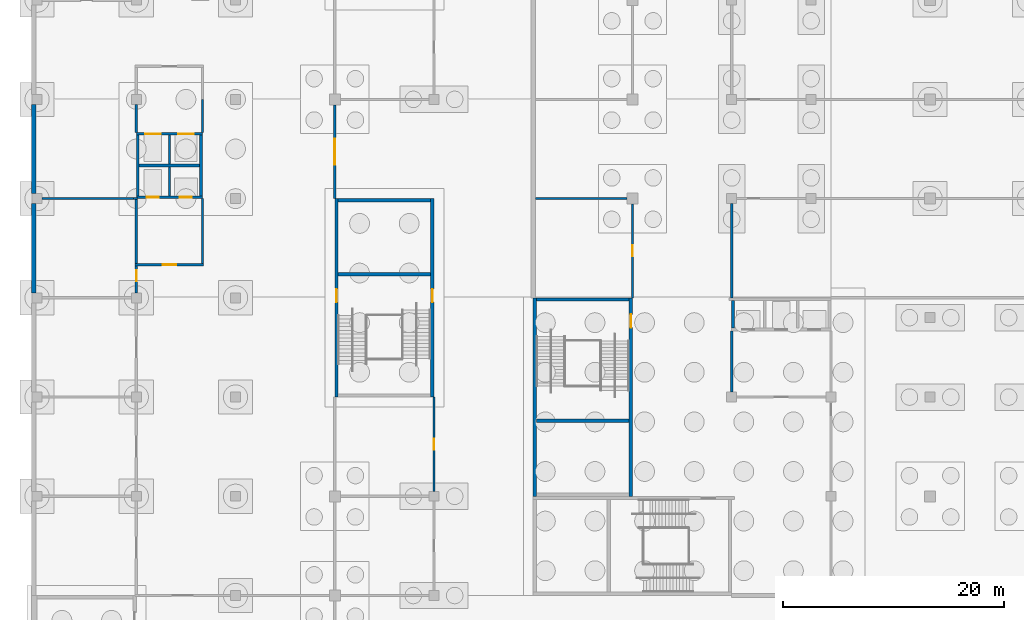
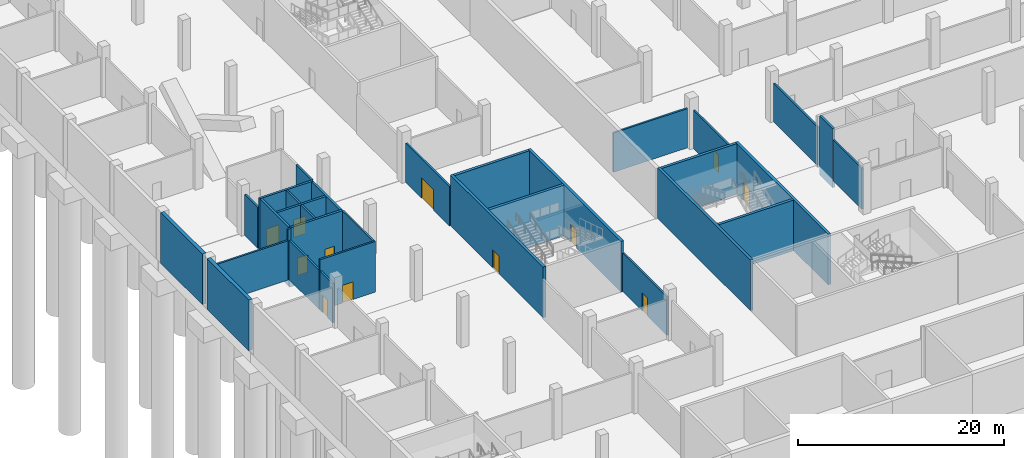
# One storey, part 9 of 42: 32 walls, 12 doors, 12 openings.
"""IFC4 building model written with IfcOpenShell, lengths in metres."""

import ifcopenshell
import ifcopenshell.guid

model = None  # the IFC model being written
_history = None  # IfcOwnerHistory: only IFC2X3 demands one
_inside = {}  # id of a spatial element -> (the spatial element, [elements in it])
_under = {}  # id of a project, library or spatial element -> (it, [spatial elements below it])
_declared = {}  # id of a project -> (the project, [libraries it declares])
_typed = {}  # id of a type object -> (the type object, [elements of that type])
_made_of = {}  # id of a material, layer set ... -> (it, [elements and type objects made of it])


def new_model(schema):
    """Start an empty IFC model of exactly this schema.

    Asked for "IFC4X3", IfcOpenShell would pick the latest addendum, in which some entities
    have other attributes; the version numbers below select the first issue.
    IFC2X3 requires an IfcOwnerHistory on every rooted entity: one is made here for all.
    """
    global model, _history
    if schema == "IFC4X3":
        model = ifcopenshell.file(schema_version=(4, 3, 0, 0))
    else:
        model = ifcopenshell.file(schema=schema)
    _inside.clear()
    _under.clear()
    _declared.clear()
    _typed.clear()
    _made_of.clear()
    _history = None
    if model.schema == "IFC2X3":
        org = make("IfcOrganization", Name="unknown")
        user = make(
            "IfcPersonAndOrganization",
            ThePerson=make("IfcPerson", FamilyName="unknown"),
            TheOrganization=org,
        )
        app = make(
            "IfcApplication",
            ApplicationDeveloper=org,
            Version="unknown",
            ApplicationFullName="unknown",
            ApplicationIdentifier="unknown",
        )
        _history = make(
            "IfcOwnerHistory",
            OwningUser=user,
            OwningApplication=app,
            ChangeAction="ADDED",
            CreationDate=0,
        )
    return model


def make(cls, **values):
    """One entity of the class cls with the attributes given. An attribute that is None is left unset."""
    return model.create_entity(
        cls, **{name: value for name, value in values.items() if value is not None}
    )


def rooted(cls, **values):
    """An entity with a GlobalId (a new one), such as an element, a storey or a relation."""
    return make(cls, GlobalId=ifcopenshell.guid.new(), OwnerHistory=_history, **values)


def si_unit(unit_type, name, prefix=None):
    """IfcSIUnit, for example si_unit("LENGTHUNIT", "METRE", prefix="MILLI")."""
    return make("IfcSIUnit", UnitType=unit_type, Prefix=prefix, Name=name)


def assignment(units):
    """IfcUnitAssignment: the units of a project."""
    return None if units is None else make("IfcUnitAssignment", Units=units)


def point(xyz):
    """IfcCartesianPoint."""
    return None if xyz is None else make("IfcCartesianPoint", Coordinates=xyz)


def direction(xyz):
    """IfcDirection."""
    return None if xyz is None else make("IfcDirection", DirectionRatios=xyz)


def frame(location, z_axis=None, x_axis=None):
    """IfcAxis2Placement3D, a coordinate frame: its origin and axes. An axis left out is left unset."""
    return make(
        "IfcAxis2Placement3D",
        Location=point(location),
        Axis=direction(z_axis),
        RefDirection=direction(x_axis),
    )


def frame_2d(location, x_axis=None):
    """IfcAxis2Placement2D, a coordinate frame in the plane: its origin and x axis."""
    return make(
        "IfcAxis2Placement2D", Location=point(location), RefDirection=direction(x_axis)
    )


def origin():
    """The frame at (0, 0, 0) with its axes left unset."""
    return frame((0.0, 0.0, 0.0))


def place(relative_to, where):
    """IfcLocalPlacement: puts the frame where relative to a parent placement (None: the world)."""
    return make(
        "IfcLocalPlacement", PlacementRelTo=relative_to, RelativePlacement=where
    )


def context(
    kind, dimensions, precision=None, world=None, true_north=None, identifier=None
):
    """IfcGeometricRepresentationContext, for example the 3D "Model" context."""
    return make(
        "IfcGeometricRepresentationContext",
        ContextIdentifier=identifier,
        ContextType=kind,
        CoordinateSpaceDimension=dimensions,
        Precision=precision,
        WorldCoordinateSystem=world,
        TrueNorth=true_north,
    )


def subcontext(parent, identifier, kind, view, scale=None):
    """IfcGeometricRepresentationSubContext, for example "Body" below "Model"."""
    return make(
        "IfcGeometricRepresentationSubContext",
        ContextIdentifier=identifier,
        ContextType=kind,
        ParentContext=parent,
        TargetScale=scale,
        TargetView=view,
    )


def project(units=None, contexts=None):
    """IfcProject with its units and contexts."""
    return rooted(
        "IfcProject",
        Name="project",
        RepresentationContexts=contexts,
        UnitsInContext=assignment(units),
    )


def spatial(cls, under=None, at=None, **own):
    """A site, building, storey or space (cls), placed at a placement, below another one or the project."""
    s = rooted(cls, ObjectPlacement=at, **own)
    if under is not None:
        _under.setdefault(under.id(), (under, []))[1].append(s)
    return s


def profile(cls, at=None, kind="AREA", **sizes):
    """A parametric profile (cls). Its sizes go by their IFC names, for example OverallWidth=200.0."""
    return make(cls, ProfileType=kind, Position=at, **sizes)


def rectangle(**sizes):
    """IfcRectangleProfileDef."""
    return profile("IfcRectangleProfileDef", **sizes)


def extrude(swept, where, along, depth):
    """IfcExtrudedAreaSolid: the profile swept, set in the frame where, extruded along a direction by depth."""
    return make(
        "IfcExtrudedAreaSolid",
        SweptArea=swept,
        Position=where,
        ExtrudedDirection=direction(along),
        Depth=depth,
    )


def shape(context_of_items, identifier, shape_type, items):
    """IfcShapeRepresentation: the items that make up one representation, for example the "Body"."""
    return make(
        "IfcShapeRepresentation",
        ContextOfItems=context_of_items,
        RepresentationIdentifier=identifier,
        RepresentationType=shape_type,
        Items=items,
    )


def material(Name=None, Category=None):
    """IfcMaterial."""
    return make("IfcMaterial", Name=Name, Category=Category)


def layer(
    of_material, thickness, ventilated=None, Name=None, Category=None, Priority=None
):
    """IfcMaterialLayer: one layer of a wall or slab, of a material (None: an air gap)."""
    return make(
        "IfcMaterialLayer",
        Material=of_material,
        LayerThickness=thickness,
        IsVentilated=ventilated,
        Name=Name,
        Category=Category,
        Priority=Priority,
    )


def layer_set(layers, Name=None):
    """IfcMaterialLayerSet."""
    return make("IfcMaterialLayerSet", MaterialLayers=layers, LayerSetName=Name)


def made_of(thing, what):
    """Note that an element or type object is made of a material, layer set ...; save() writes the relation."""
    if what is not None:
        _made_of.setdefault(what.id(), (what, []))[1].append(thing)
    return thing


def type_object(cls, material=None, **own):
    """A type object (cls), such as IfcWallType, which elements share."""
    return made_of(rooted(cls, **own), material)


def element(
    cls,
    number,
    at=None,
    inside=None,
    cuts=None,
    type_object=None,
    material=None,
    context=None,
    identifier="Body",
    shape_type=None,
    held_by="IfcProductDefinitionShape",
    body=None,
    shapes=None,
    **own,
):
    """One element of the class cls, such as IfcWall. Its Tag is "e" and its number.

    at: its placement. inside: the storey or other place that contains it. cuts: it is an
    opening in that element (IfcRelVoidsElement). A single representation is given by context,
    identifier, shape_type and body (its items); several are given by shapes. held_by: the class
    of the entity that holds the representations. save() writes the other relations.
    """
    e = rooted(cls, Tag="e%d" % number, ObjectPlacement=at, **own)
    if body is not None:
        shapes = [shape(context, identifier, shape_type, body)]
    if shapes is not None:
        e.Representation = make(held_by, Representations=shapes)
    if inside is not None:
        _inside.setdefault(inside.id(), (inside, []))[1].append(e)
    if cuts is not None:
        rooted(
            "IfcRelVoidsElement", RelatingBuildingElement=cuts, RelatedOpeningElement=e
        )
    if type_object is not None:
        _typed.setdefault(type_object.id(), (type_object, []))[1].append(e)
    return made_of(e, material)


def fill(opening, filler):
    """IfcRelFillsElement: the door or window that sits in an opening."""
    return rooted(
        "IfcRelFillsElement",
        RelatingOpeningElement=opening,
        RelatedBuildingElement=filler,
    )


def aggregate(whole, parts):
    """IfcRelAggregates: a whole, such as a stair, and the parts it consists of."""
    return rooted("IfcRelAggregates", RelatingObject=whole, RelatedObjects=parts)


def save(model, path):
    """Write the relations noted so far, then the file.

    IfcRelAggregates (storeys below a building ...), IfcRelContainedInSpatialStructure (elements
    in a storey), IfcRelDefinesByType, IfcRelAssociatesMaterial and IfcRelDeclares: one each for
    every whole, place, type object, material and project.
    """
    for whole, parts in _under.values():
        aggregate(whole, parts)
    for where, things in _inside.values():
        rooted(
            "IfcRelContainedInSpatialStructure",
            RelatedElements=things,
            RelatingStructure=where,
        )
    for kind, things in _typed.values():
        rooted("IfcRelDefinesByType", RelatedObjects=things, RelatingType=kind)
    for what, things in _made_of.values():
        rooted("IfcRelAssociatesMaterial", RelatedObjects=things, RelatingMaterial=what)
    for by, libraries in _declared.values():
        rooted("IfcRelDeclares", RelatingContext=by, RelatedDefinitions=libraries)
    model.write(path)


model = new_model("IFC4")

# Units and contexts
model_context = context("Model", 3, precision=1e-05, world=origin(), true_north=direction((0.0, 1.0)))
body_context = subcontext(model_context, "Body", "Model", "MODEL_VIEW")
ifc_project = project(units=[si_unit("LENGTHUNIT", "METRE"), si_unit("AREAUNIT", "SQUARE_METRE"), si_unit("VOLUMEUNIT", "CUBIC_METRE"), si_unit("PLANEANGLEUNIT", "RADIAN"), si_unit("MASSUNIT", "GRAM", prefix="KILO")], contexts=[model_context])

# Site, building, storey
site_placement = place(None, origin())
site = spatial("IfcSite", under=ifc_project, at=site_placement, CompositionType="ELEMENT")
building_placement = place(site_placement, origin())
building = spatial("IfcBuilding", under=site, at=building_placement, Name="Silverbay Arena", CompositionType="ELEMENT")
storey_placement = place(building_placement, frame((0.0, 0.0, -6.0)))
storey = spatial("IfcBuildingStorey", under=building, at=storey_placement, Name="B1", CompositionType="ELEMENT", Elevation=-6.0)

# Walls
ifc_material_1 = material(Name="Concrete Grade C45", Category="concrete")
ifc_layer_1 = layer(ifc_material_1, 0.39990234375)
ifc_layer_set_1 = layer_set([ifc_layer_1], Name="Concrete Grade C45")
wall_type_1 = type_object("IfcWallType", Name="Basement perimeter wall 400", PredefinedType="SOLIDWALL", material=ifc_layer_set_1)
for number, where, z_axis, x_axis, name in (
    (1, (26.699951171875, 71.550048828125, 0.0), (0.0, 0.0, 1.0), (0.0, -1.0, 0.0), "West external wall B1 bay 6"),
    (2, (26.699951171875, 80.550048828125, 0.0), (0.0, 0.0, 1.0), (0.0, -1.0, 0.0), "West external wall B1 bay 7"),
):
    element("IfcWall", number, at=place(storey_placement, frame(where, z_axis=z_axis, x_axis=x_axis)), inside=storey, type_object=wall_type_1, Name=name, PredefinedType="SOLIDWALL", context=body_context, shape_type="SweptSolid", body=[
        extrude(rectangle(XDim=8.10009765625, YDim=0.39990234375, at=frame_2d((4.050048828125, 0.0))), origin(), (0.0, 0.0, 1.0), 6.0),
    ])

# Wall, opening, door
ifc_material_2 = material(Name="Concrete Grade C45", Category="concrete")
ifc_layer_2 = layer(ifc_material_2, 0.300048828125)
ifc_layer_set_2 = layer_set([ifc_layer_2], Name="Concrete Grade C45")
wall_type_2 = type_object("IfcWallType", Name="Core wall RC 300 EI 240", PredefinedType="SHEAR", material=ifc_layer_set_2)
wall_1_placement = place(storey_placement, frame((62.85009765625, 54.0, 0.0), z_axis=(0.0, 0.0, 1.0), x_axis=(0.0, 1.0, 0.0)))
wall_1 = element("IfcWall", 3, at=wall_1_placement, inside=storey, type_object=wall_type_2, Name="Core wall ST-W1 B1 door side", PredefinedType="SHEAR", context=body_context, shape_type="SweptSolid", body=[
    extrude(rectangle(XDim=18.0, YDim=0.300048828125, at=frame_2d((9.0, 0.0))), origin(), (0.0, 0.0, 1.0), 6.0),
])
opening_1_placement = place(wall_1_placement, frame((8.60009765625, 0.0, 0.0)))
opening_1 = element("IfcOpeningElement", 4, at=opening_1_placement, cuts=wall_1, Name="Opening B1-082", PredefinedType="OPENING", context=body_context, shape_type="SweptSolid", body=[
    extrude(rectangle(XDim=1.199951171875, YDim=2.10009765625, at=frame_2d((0.60009765625, 1.050048828125))), frame((0.0, 0.16015625, 0.0), z_axis=(0.0, -1.0, 0.0), x_axis=(1.0, 0.0, 0.0)), (0.0, 0.0, 1.0), 0.320068359375),
])
ifc_material_3 = material(Name="Steel fire door", Category="steel")
door_type_1 = type_object("IfcDoorType", Name="Stair door 1200 x 2100 fire door", OperationType="SINGLE_SWING_LEFT", PredefinedType="DOOR", material=ifc_material_3)
door_1_placement = place(opening_1_placement, origin())
door_1 = element("IfcDoor", 5, at=door_1_placement, inside=storey, type_object=door_type_1, Name="Stair door ST-W1 B1", OperationType="SINGLE_SWING_RIGHT", OverallHeight=2.10009765625, OverallWidth=1.199951171875, PredefinedType="DOOR", context=body_context, shape_type="SweptSolid", body=[
    extrude(rectangle(XDim=1.199951171875, YDim=2.10009765625, at=frame_2d((0.60009765625, 1.050048828125))), frame((0.0, 0.02490234375, 0.0), z_axis=(0.0, -1.0, 0.0), x_axis=(1.0, 0.0, 0.0)), (0.0, 0.0, 1.0), 0.050048828125),
])
fill(opening_1, door_1)

wall_2_placement = place(storey_placement, frame((54.14990234375, 54.0, 0.0), z_axis=(0.0, 0.0, 1.0), x_axis=(0.0, 1.0, 0.0)))
wall_2 = element("IfcWall", 6, at=wall_2_placement, inside=storey, type_object=wall_type_2, Name="Core wall ST-W1 B1 far side", PredefinedType="SHEAR", context=body_context, shape_type="SweptSolid", body=[
    extrude(rectangle(XDim=18.0, YDim=0.300048828125, at=frame_2d((9.0, 0.0))), origin(), (0.0, 0.0, 1.0), 6.0),
])
opening_2_placement = place(wall_2_placement, frame((8.60009765625, 0.0, 0.0)))
opening_2 = element("IfcOpeningElement", 7, at=opening_2_placement, cuts=wall_2, Name="Opening B1-083", PredefinedType="OPENING", context=body_context, shape_type="SweptSolid", body=[
    extrude(rectangle(XDim=1.199951171875, YDim=2.10009765625, at=frame_2d((0.60009765625, 1.050048828125))), frame((0.0, 0.16015625, 0.0), z_axis=(0.0, -1.0, 0.0), x_axis=(1.0, 0.0, 0.0)), (0.0, 0.0, 1.0), 0.320068359375),
])
door_2_placement = place(opening_2_placement, frame((1.199951171875, 0.0, 0.0), z_axis=(0.0, 0.0, 1.0), x_axis=(-1.0, 0.0, 0.0)))
door_2 = element("IfcDoor", 8, at=door_2_placement, inside=storey, type_object=door_type_1, Name="Stair door ST-W1 B1 concourse side", OperationType="SINGLE_SWING_LEFT", OverallHeight=2.10009765625, OverallWidth=1.199951171875, PredefinedType="DOOR", context=body_context, shape_type="SweptSolid", body=[
    extrude(rectangle(XDim=1.199951171875, YDim=2.10009765625, at=frame_2d((0.60009765625, 1.050048828125))), frame((0.0, 0.02490234375, 0.0), z_axis=(0.0, -1.0, 0.0), x_axis=(1.0, 0.0, 0.0)), (0.0, 0.0, 1.0), 0.050048828125),
])
fill(opening_2, door_2)

# Walls
for number, where, z_axis, x_axis, name in (
    (9, (62.699951171875, 71.85009765625, 0.0), (0.0, 0.0, 1.0), (-1.0, 0.0, 0.0), "Core wall ST-W1 B1 end 2"),
    (10, (62.699951171875, 65.14990234375, 0.0), (0.0, 0.0, 1.0), (-1.0, 0.0, 0.0), "Core wall ST-W1 B1 stair enclosure"),
):
    element("IfcWall", number, at=place(storey_placement, frame(where, z_axis=z_axis, x_axis=x_axis)), inside=storey, type_object=wall_type_2, Name=name, PredefinedType="SHEAR", context=body_context, shape_type="SweptSolid", body=[
        extrude(rectangle(XDim=8.39990234375, YDim=0.300048828125, at=frame_2d((4.199951171875, 0.0))), origin(), (0.0, 0.0, 1.0), 6.0),
    ])

# Wall, opening, door
wall_3_placement = place(storey_placement, frame((80.85009765625, 63.0, 0.0), z_axis=(0.0, 0.0, 1.0), x_axis=(0.0, -1.0, 0.0)))
wall_3 = element("IfcWall", 11, at=wall_3_placement, inside=storey, type_object=wall_type_2, Name="Core wall ST-SW2 B1 door side", PredefinedType="SHEAR", context=body_context, shape_type="SweptSolid", body=[
    extrude(rectangle(XDim=18.0, YDim=0.300048828125, at=frame_2d((9.0, 0.0))), origin(), (0.0, 0.0, 1.0), 6.0),
])
opening_3_placement = place(wall_3_placement, frame((1.5, 0.0, 0.0)))
opening_3 = element("IfcOpeningElement", 12, at=opening_3_placement, cuts=wall_3, Name="Opening B1-089", PredefinedType="OPENING", context=body_context, shape_type="SweptSolid", body=[
    extrude(rectangle(XDim=1.199951171875, YDim=2.10009765625, at=frame_2d((0.60009765625, 1.050048828125))), frame((0.0, 0.16015625, 0.0), z_axis=(0.0, -1.0, 0.0), x_axis=(1.0, 0.0, 0.0)), (0.0, 0.0, 1.0), 0.320068359375),
])
door_3_placement = place(opening_3_placement, frame((1.199951171875, 0.0, 0.0), z_axis=(0.0, 0.0, 1.0), x_axis=(-1.0, 0.0, 0.0)))
door_3 = element("IfcDoor", 13, at=door_3_placement, inside=storey, type_object=door_type_1, Name="Stair door ST-SW2 B1", OperationType="SINGLE_SWING_RIGHT", OverallHeight=2.10009765625, OverallWidth=1.199951171875, PredefinedType="DOOR", context=body_context, shape_type="SweptSolid", body=[
    extrude(rectangle(XDim=1.199951171875, YDim=2.10009765625, at=frame_2d((0.60009765625, 1.050048828125))), frame((0.0, 0.02490234375, 0.0), z_axis=(0.0, -1.0, 0.0), x_axis=(1.0, 0.0, 0.0)), (0.0, 0.0, 1.0), 0.050048828125),
])
fill(opening_3, door_3)

# Walls
wall_4_placement = place(storey_placement, frame((72.14990234375, 63.0, 0.0), z_axis=(0.0, 0.0, 1.0), x_axis=(0.0, -1.0, 0.0)))
element("IfcWall", 14, at=wall_4_placement, inside=storey, type_object=wall_type_2, Name="Core wall ST-SW2 B1 far side", PredefinedType="SHEAR", context=body_context, shape_type="SweptSolid", body=[
    extrude(rectangle(XDim=18.0, YDim=0.300048828125, at=frame_2d((9.0, 0.0))), origin(), (0.0, 0.0, 1.0), 6.0),
])
for number, where, z_axis, x_axis, name in (
    (15, (80.699951171875, 62.85009765625, 0.0), (0.0, 0.0, 1.0), (-1.0, 0.0, 0.0), "Core wall ST-SW2 B1 end 1"),
    (16, (80.699951171875, 51.85009765625, 0.0), (0.0, 0.0, 1.0), (-1.0, 0.0, 0.0), "Core wall ST-SW2 B1 stair enclosure"),
):
    element("IfcWall", number, at=place(storey_placement, frame(where, z_axis=z_axis, x_axis=x_axis)), inside=storey, type_object=wall_type_2, Name=name, PredefinedType="SHEAR", context=body_context, shape_type="SweptSolid", body=[
        extrude(rectangle(XDim=8.39990234375, YDim=0.300048828125, at=frame_2d((4.199951171875, 0.0))), origin(), (0.0, 0.0, 1.0), 6.0),
    ])
ifc_material_4 = material(Name="Concrete Grade C45", Category="concrete")
ifc_layer_3 = layer(ifc_material_4, 0.199951171875)
ifc_layer_set_3 = layer_set([ifc_layer_3], Name="Concrete Grade C45")
wall_type_3 = type_object("IfcWallType", Name="Lift shaft divider RC 200 EI 240", PredefinedType="SHEAR", material=ifc_layer_set_3)
for number, where, z_axis, x_axis, name in (
    (17, (39.0, 72.25, -1.0), (0.0, 0.0, 1.0), (0.0, 1.0, 0.0), "Lift shaft divider LB-WG B1 s"),
    (18, (39.0, 75.125, -1.0), (0.0, 0.0, 1.0), (0.0, 1.0, 0.0), "Lift shaft divider LB-WG B1 n"),
):
    element("IfcWall", number, at=place(storey_placement, frame(where, z_axis=z_axis, x_axis=x_axis)), inside=storey, type_object=wall_type_3, Name=name, PredefinedType="SHEAR", context=body_context, shape_type="SweptSolid", body=[
        extrude(rectangle(XDim=2.625, YDim=0.199951171875, at=frame_2d((1.3125, 0.0))), origin(), (0.0, 0.0, 1.0), 7.0),
    ])
ifc_material_5 = material(Name="Concrete Grade C45", Category="concrete")
ifc_layer_4 = layer(ifc_material_5, 0.25)
ifc_layer_set_4 = layer_set([ifc_layer_4], Name="Concrete Grade C45")
wall_type_4 = type_object("IfcWallType", Name="Lift shaft wall RC 250 EI 240", PredefinedType="SHEAR", material=ifc_layer_set_4)
wall_5_placement = place(storey_placement, frame((90.125, 60.25, -1.0), z_axis=(0.0, 0.0, 1.0), x_axis=(0.0, 1.0, 0.0)))
element("IfcWall", 19, at=wall_5_placement, inside=storey, type_object=wall_type_4, Name="Lift shaft wall LB-SW B1 end", PredefinedType="SHEAR", context=body_context, shape_type="SweptSolid", body=[
    extrude(rectangle(XDim=2.5, YDim=0.25, at=frame_2d((1.25, 0.0))), origin(), (0.0, 0.0, 1.0), 7.0),
])

# Wall, openings, doors
wall_6_placement = place(storey_placement, frame((36.0, 72.125, -1.0), z_axis=(0.0, 0.0, 1.0), x_axis=(1.0, 0.0, 0.0)))
wall_6 = element("IfcWall", 20, at=wall_6_placement, inside=storey, type_object=wall_type_4, Name="Lift shaft wall LB-WG B1 south", PredefinedType="SHEAR", context=body_context, shape_type="SweptSolid", body=[
    extrude(rectangle(XDim=6.0, YDim=0.25, at=frame_2d((3.0, 0.0))), origin(), (0.0, 0.0, 1.0), 7.0),
])
opening_4_placement = place(wall_6_placement, frame((0.949951171875, 0.0, 1.0)))
opening_4 = element("IfcOpeningElement", 21, at=opening_4_placement, cuts=wall_6, Name="Opening B1-112", PredefinedType="OPENING", context=body_context, shape_type="SweptSolid", body=[
    extrude(rectangle(XDim=1.10009765625, YDim=2.10009765625, at=frame_2d((0.550048828125, 1.050048828125))), frame((0.0, 0.135009765625, 0.0), z_axis=(0.0, -1.0, 0.0), x_axis=(1.0, 0.0, 0.0)), (0.0, 0.0, 1.0), 0.27001953125),
])
opening_5_placement = place(wall_6_placement, frame((3.949951171875, 0.0, 1.0)))
opening_5 = element("IfcOpeningElement", 22, at=opening_5_placement, cuts=wall_6, Name="Opening B1-113", PredefinedType="OPENING", context=body_context, shape_type="SweptSolid", body=[
    extrude(rectangle(XDim=1.10009765625, YDim=2.10009765625, at=frame_2d((0.550048828125, 1.050048828125))), frame((0.0, 0.135009765625, 0.0), z_axis=(0.0, -1.0, 0.0), x_axis=(1.0, 0.0, 0.0)), (0.0, 0.0, 1.0), 0.27001953125),
])
ifc_material_6 = material(Name="Stainless steel", Category="steel")
door_type_2 = type_object("IfcDoorType", Name="LD1 lift landing door 1100 x 2100", OperationType="DOUBLE_DOOR_SLIDING", PredefinedType="DOOR", material=ifc_material_6)
door_4_placement = place(opening_4_placement, origin())
door_4 = element("IfcDoor", 23, at=door_4_placement, inside=storey, type_object=door_type_2, Name="Lift landing door LF15 B1", OperationType="DOUBLE_DOOR_SLIDING", OverallHeight=2.10009765625, OverallWidth=1.10009765625, PredefinedType="DOOR", context=body_context, shape_type="SweptSolid", body=[
    extrude(rectangle(XDim=1.10009765625, YDim=2.10009765625, at=frame_2d((0.550048828125, 1.050048828125))), frame((0.0, 0.02490234375, 0.0), z_axis=(0.0, -1.0, 0.0), x_axis=(1.0, 0.0, 0.0)), (0.0, 0.0, 1.0), 0.050048828125),
])
fill(opening_4, door_4)
door_5_placement = place(opening_5_placement, origin())
door_5 = element("IfcDoor", 24, at=door_5_placement, inside=storey, type_object=door_type_2, Name="Lift landing door LF16 B1", OperationType="DOUBLE_DOOR_SLIDING", OverallHeight=2.10009765625, OverallWidth=1.10009765625, PredefinedType="DOOR", context=body_context, shape_type="SweptSolid", body=[
    extrude(rectangle(XDim=1.10009765625, YDim=2.10009765625, at=frame_2d((0.550048828125, 1.050048828125))), frame((0.0, 0.02490234375, 0.0), z_axis=(0.0, -1.0, 0.0), x_axis=(1.0, 0.0, 0.0)), (0.0, 0.0, 1.0), 0.050048828125),
])
fill(opening_5, door_5)

wall_7_placement = place(storey_placement, frame((36.0, 77.875, -1.0), z_axis=(0.0, 0.0, 1.0), x_axis=(1.0, 0.0, 0.0)))
wall_7 = element("IfcWall", 25, at=wall_7_placement, inside=storey, type_object=wall_type_4, Name="Lift shaft wall LB-WG B1 north", PredefinedType="SHEAR", context=body_context, shape_type="SweptSolid", body=[
    extrude(rectangle(XDim=6.0, YDim=0.25, at=frame_2d((3.0, 0.0))), origin(), (0.0, 0.0, 1.0), 7.0),
])
opening_6_placement = place(wall_7_placement, frame((0.800048828125, 0.0, 1.0)))
opening_6 = element("IfcOpeningElement", 26, at=opening_6_placement, cuts=wall_7, Name="Opening B1-114", PredefinedType="OPENING", context=body_context, shape_type="SweptSolid", body=[
    extrude(rectangle(XDim=1.39990234375, YDim=2.10009765625, at=frame_2d((0.699951171875, 1.050048828125))), frame((0.0, 0.135009765625, 0.0), z_axis=(0.0, -1.0, 0.0), x_axis=(1.0, 0.0, 0.0)), (0.0, 0.0, 1.0), 0.27001953125),
])
opening_7_placement = place(wall_7_placement, frame((3.800048828125, 0.0, 1.0)))
opening_7 = element("IfcOpeningElement", 27, at=opening_7_placement, cuts=wall_7, Name="Opening B1-115", PredefinedType="OPENING", context=body_context, shape_type="SweptSolid", body=[
    extrude(rectangle(XDim=1.39990234375, YDim=2.10009765625, at=frame_2d((0.699951171875, 1.050048828125))), frame((0.0, 0.135009765625, 0.0), z_axis=(0.0, -1.0, 0.0), x_axis=(1.0, 0.0, 0.0)), (0.0, 0.0, 1.0), 0.27001953125),
])
ifc_material_7 = material(Name="Stainless steel", Category="steel")
door_type_3 = type_object("IfcDoorType", Name="LD2 lift landing door 1400 x 2100", OperationType="DOUBLE_DOOR_SLIDING", PredefinedType="DOOR", material=ifc_material_7)
door_6_placement = place(opening_6_placement, origin())
door_6 = element("IfcDoor", 28, at=door_6_placement, inside=storey, type_object=door_type_3, Name="Lift landing door LF17 B1", OperationType="DOUBLE_DOOR_SLIDING", OverallHeight=2.10009765625, OverallWidth=1.39990234375, PredefinedType="DOOR", context=body_context, shape_type="SweptSolid", body=[
    extrude(rectangle(XDim=1.39990234375, YDim=2.10009765625, at=frame_2d((0.699951171875, 1.050048828125))), frame((0.0, 0.02490234375, 0.0), z_axis=(0.0, -1.0, 0.0), x_axis=(1.0, 0.0, 0.0)), (0.0, 0.0, 1.0), 0.050048828125),
])
fill(opening_6, door_6)
door_7_placement = place(opening_7_placement, origin())
door_7 = element("IfcDoor", 29, at=door_7_placement, inside=storey, type_object=door_type_3, Name="Lift landing door LF19 B1", OperationType="DOUBLE_DOOR_SLIDING", OverallHeight=2.10009765625, OverallWidth=1.39990234375, PredefinedType="DOOR", context=body_context, shape_type="SweptSolid", body=[
    extrude(rectangle(XDim=1.39990234375, YDim=2.10009765625, at=frame_2d((0.699951171875, 1.050048828125))), frame((0.0, 0.02490234375, 0.0), z_axis=(0.0, -1.0, 0.0), x_axis=(1.0, 0.0, 0.0)), (0.0, 0.0, 1.0), 0.050048828125),
])
fill(opening_7, door_7)

# Walls
wall_8_placement = place(storey_placement, frame((36.0, 75.0, -1.0), z_axis=(0.0, 0.0, 1.0), x_axis=(1.0, 0.0, 0.0)))
element("IfcWall", 30, at=wall_8_placement, inside=storey, type_object=wall_type_4, Name="Lift shaft wall LB-WG B1 middle", PredefinedType="SHEAR", context=body_context, shape_type="SweptSolid", body=[
    extrude(rectangle(XDim=6.0, YDim=0.25, at=frame_2d((3.0, 0.0))), origin(), (0.0, 0.0, 1.0), 7.0),
])
for number, where, z_axis, x_axis, name in (
    (31, (36.125, 72.25, -1.0), (0.0, 0.0, 1.0), (0.0, 1.0, 0.0), "Lift shaft wall LB-WG B1 end"),
    (32, (41.875, 72.25, -1.0), (0.0, 0.0, 1.0), (0.0, 1.0, 0.0), "Lift shaft wall LB-WG B1 end"),
):
    element("IfcWall", number, at=place(storey_placement, frame(where, z_axis=z_axis, x_axis=x_axis)), inside=storey, type_object=wall_type_4, Name=name, PredefinedType="SHEAR", context=body_context, shape_type="SweptSolid", body=[
        extrude(rectangle(XDim=5.5, YDim=0.25, at=frame_2d((2.75, 0.0))), origin(), (0.0, 0.0, 1.0), 7.0),
    ])

# Wall, opening, door
ifc_material_8 = material(Name="Masonry blockwork partition", Category="masonry")
ifc_layer_5 = layer(ifc_material_8, 0.199951171875)
ifc_layer_set_5 = layer_set([ifc_layer_5], Name="Masonry blockwork partition")
wall_type_5 = type_object("IfcWallType", Name="Partition 200 EI 240", PredefinedType="PARTITIONING", material=ifc_layer_set_5)
wall_9_placement = place(storey_placement, frame((35.89990234375, 66.0, 0.0), z_axis=(0.0, 0.0, 1.0), x_axis=(1.0, 0.0, 0.0)))
wall_9 = element("IfcWall", 33, at=wall_9_placement, inside=storey, type_object=wall_type_5, Name="Partition wall", PredefinedType="PARTITIONING", context=body_context, shape_type="SweptSolid", body=[
    extrude(rectangle(XDim=6.2001953125, YDim=0.199951171875, at=frame_2d((3.10009765625, 0.0))), origin(), (0.0, 0.0, 1.0), 6.0),
])
opening_8_placement = place(wall_9_placement, frame((2.5, 0.0, 0.0)))
opening_8 = element("IfcOpeningElement", 34, at=opening_8_placement, cuts=wall_9, Name="Opening B1-053", PredefinedType="OPENING", context=body_context, shape_type="SweptSolid", body=[
    extrude(rectangle(XDim=1.199951171875, YDim=2.10009765625, at=frame_2d((0.60009765625, 1.050048828125))), frame((0.0, 0.10986328125, 0.0), z_axis=(0.0, -1.0, 0.0), x_axis=(1.0, 0.0, 0.0)), (0.0, 0.0, 1.0), 0.219970703125),
])
ifc_material_9 = material(Name="Steel faced timber", Category="steel")
door_type_4 = type_object("IfcDoorType", Name="Single leaf door 1200 x 2100 FD240", OperationType="SINGLE_SWING_LEFT", PredefinedType="DOOR", material=ifc_material_9)
door_8_placement = place(opening_8_placement, frame((1.199951171875, 0.0, 0.0), z_axis=(0.0, 0.0, 1.0), x_axis=(-1.0, 0.0, 0.0)))
door_8 = element("IfcDoor", 35, at=door_8_placement, inside=storey, type_object=door_type_4, Name="Door B1-053", OperationType="SINGLE_SWING_RIGHT", OverallHeight=2.10009765625, OverallWidth=1.199951171875, PredefinedType="DOOR", context=body_context, shape_type="SweptSolid", body=[
    extrude(rectangle(XDim=1.199951171875, YDim=2.10009765625, at=frame_2d((0.60009765625, 1.050048828125))), frame((0.0, 0.02490234375, 0.0), z_axis=(0.0, -1.0, 0.0), x_axis=(1.0, 0.0, 0.0)), (0.0, 0.0, 1.0), 0.050048828125),
])
fill(opening_8, door_8)

# Walls
for number, where, z_axis, x_axis, name in (
    (36, (27.449951171875, 72.0, 0.0), (0.0, 0.0, 1.0), (1.0, 0.0, 0.0), "Partition wall"),
    (37, (72.199951171875, 72.0, 0.0), (0.0, 0.0, 1.0), (1.0, 0.0, 0.0), "Partition wall"),
):
    element("IfcWall", number, at=place(storey_placement, frame(where, z_axis=z_axis, x_axis=x_axis)), inside=storey, type_object=wall_type_5, Name=name, PredefinedType="PARTITIONING", context=body_context, shape_type="SweptSolid", body=[
        extrude(rectangle(XDim=8.300048828125, YDim=0.199951171875, at=frame_2d((4.14990234375, 0.0))), origin(), (0.0, 0.0, 1.0), 4.64990234375),
    ])

# Wall, opening, door
wall_10_placement = place(storey_placement, frame((36.0, 63.449951171875, 0.0), z_axis=(0.0, 0.0, 1.0), x_axis=(0.0, 1.0, 0.0)))
wall_10 = element("IfcWall", 38, at=wall_10_placement, inside=storey, type_object=wall_type_5, Name="Partition wall", PredefinedType="PARTITIONING", context=body_context, shape_type="SweptSolid", body=[
    extrude(rectangle(XDim=2.449951171875, YDim=0.199951171875, at=frame_2d((1.22509765625, 0.0))), origin(), (0.0, 0.0, 1.0), 4.64990234375),
])
opening_9_placement = place(wall_10_placement, frame((1.050048828125, 0.0, 0.0)))
opening_9 = element("IfcOpeningElement", 39, at=opening_9_placement, cuts=wall_10, Name="Opening B1-024", PredefinedType="OPENING", context=body_context, shape_type="SweptSolid", body=[
    extrude(rectangle(XDim=1.0, YDim=2.10009765625, at=frame_2d((0.5, 1.050048828125))), frame((0.0, 0.10986328125, 0.0), z_axis=(0.0, -1.0, 0.0), x_axis=(1.0, 0.0, 0.0)), (0.0, 0.0, 1.0), 0.219970703125),
])
ifc_material_10 = material(Name="Steel faced timber", Category="steel")
door_type_5 = type_object("IfcDoorType", Name="Single leaf door 1000 x 2100 FD240", OperationType="SINGLE_SWING_LEFT", PredefinedType="DOOR", material=ifc_material_10)
door_9_placement = place(opening_9_placement, origin())
door_9 = element("IfcDoor", 40, at=door_9_placement, inside=storey, type_object=door_type_5, Name="Door B1-024", OperationType="SINGLE_SWING_RIGHT", OverallHeight=2.10009765625, OverallWidth=1.0, PredefinedType="DOOR", context=body_context, shape_type="SweptSolid", body=[
    extrude(rectangle(XDim=1.0, YDim=2.10009765625, at=frame_2d((0.5, 1.050048828125))), frame((0.0, 0.02490234375, 0.0), z_axis=(0.0, -1.0, 0.0), x_axis=(1.0, 0.0, 0.0)), (0.0, 0.0, 1.0), 0.050048828125),
])
fill(opening_9, door_9)

# Walls
wall_11_placement = place(storey_placement, frame((36.0, 66.10009765625, 0.0), z_axis=(0.0, 0.0, 1.0), x_axis=(0.0, 1.0, 0.0)))
element("IfcWall", 41, at=wall_11_placement, inside=storey, type_object=wall_type_5, Name="Partition wall", PredefinedType="PARTITIONING", context=body_context, shape_type="SweptSolid", body=[
    extrude(rectangle(XDim=5.7998046875, YDim=0.199951171875, at=frame_2d((2.89990234375, 0.0))), origin(), (0.0, 0.0, 1.0), 4.64990234375),
])
wall_12_placement = place(storey_placement, frame((36.0, 78.0, 0.0), z_axis=(0.0, 0.0, 1.0), x_axis=(0.0, 1.0, 0.0)))
element("IfcWall", 42, at=wall_12_placement, inside=storey, type_object=wall_type_5, Name="Partition wall", PredefinedType="PARTITIONING", context=body_context, shape_type="SweptSolid", body=[
    extrude(rectangle(XDim=2.550048828125, YDim=0.199951171875, at=frame_2d((1.27490234375, 0.0))), origin(), (0.0, 0.0, 1.0), 4.85009765625),
])
wall_13_placement = place(storey_placement, frame((42.0, 66.10009765625, 0.0), z_axis=(0.0, 0.0, 1.0), x_axis=(0.0, 1.0, 0.0)))
element("IfcWall", 43, at=wall_13_placement, inside=storey, type_object=wall_type_5, Name="Partition wall", PredefinedType="PARTITIONING", context=body_context, shape_type="SweptSolid", body=[
    extrude(rectangle(XDim=5.89990234375, YDim=0.199951171875, at=frame_2d((2.949951171875, 0.0))), origin(), (0.0, 0.0, 1.0), 6.0),
])
wall_14_placement = place(storey_placement, frame((42.0, 78.0, 0.0), z_axis=(0.0, 0.0, 1.0), x_axis=(0.0, 1.0, 0.0)))
element("IfcWall", 44, at=wall_14_placement, inside=storey, type_object=wall_type_5, Name="Partition wall", PredefinedType="PARTITIONING", context=body_context, shape_type="SweptSolid", body=[
    extrude(rectangle(XDim=3.0, YDim=0.199951171875, at=frame_2d((1.5, 0.0))), origin(), (0.0, 0.0, 1.0), 6.0),
])

# Wall, opening, door
wall_15_placement = place(storey_placement, frame((54.0, 72.0, 0.0), z_axis=(0.0, 0.0, 1.0), x_axis=(0.0, 1.0, 0.0)))
wall_15 = element("IfcWall", 45, at=wall_15_placement, inside=storey, type_object=wall_type_5, Name="Partition wall", PredefinedType="PARTITIONING", context=body_context, shape_type="SweptSolid", body=[
    extrude(rectangle(XDim=8.5, YDim=0.199951171875, at=frame_2d((4.25, 0.0))), origin(), (0.0, 0.0, 1.0), 4.64990234375),
])
opening_10_placement = place(wall_15_placement, frame((3.050048828125, 0.0, 0.0)))
opening_10 = element("IfcOpeningElement", 46, at=opening_10_placement, cuts=wall_15, Name="Opening B1-057", PredefinedType="OPENING", context=body_context, shape_type="SweptSolid", body=[
    extrude(rectangle(XDim=2.39990234375, YDim=2.39990234375, at=frame_2d((1.199951171875, 1.199951171875))), frame((0.0, 0.10986328125, 0.0), z_axis=(0.0, -1.0, 0.0), x_axis=(1.0, 0.0, 0.0)), (0.0, 0.0, 1.0), 0.219970703125),
])
ifc_material_11 = material(Name="Steel faced timber", Category="steel")
door_type_6 = type_object("IfcDoorType", Name="Double leaf door 2400 x 2400 FD120", OperationType="DOUBLE_DOOR_DOUBLE_SWING", PredefinedType="DOOR", material=ifc_material_11)
door_10_placement = place(opening_10_placement, origin())
door_10 = element("IfcDoor", 47, at=door_10_placement, inside=storey, type_object=door_type_6, Name="Door B1-057", OperationType="DOUBLE_DOOR_DOUBLE_SWING", OverallHeight=2.39990234375, OverallWidth=2.39990234375, PredefinedType="DOOR", context=body_context, shape_type="SweptSolid", body=[
    extrude(rectangle(XDim=2.39990234375, YDim=2.39990234375, at=frame_2d((1.199951171875, 1.199951171875))), frame((0.0, 0.02490234375, 0.0), z_axis=(0.0, -1.0, 0.0), x_axis=(1.0, 0.0, 0.0)), (0.0, 0.0, 1.0), 0.050048828125),
])
fill(opening_10, door_10)

wall_16_placement = place(storey_placement, frame((63.0, 45.449951171875, 0.0), z_axis=(0.0, 0.0, 1.0), x_axis=(0.0, 1.0, 0.0)))
wall_16 = element("IfcWall", 48, at=wall_16_placement, inside=storey, type_object=wall_type_5, Name="Partition wall", PredefinedType="PARTITIONING", context=body_context, shape_type="SweptSolid", body=[
    extrude(rectangle(XDim=8.550048828125, YDim=0.199951171875, at=frame_2d((4.27490234375, 0.0))), origin(), (0.0, 0.0, 1.0), 4.550048828125),
])
opening_11_placement = place(wall_16_placement, frame((3.77490234375, 0.0, 0.0)))
opening_11 = element("IfcOpeningElement", 49, at=opening_11_placement, cuts=wall_16, Name="Opening B1-012", PredefinedType="OPENING", context=body_context, shape_type="SweptSolid", body=[
    extrude(rectangle(XDim=1.0, YDim=2.10009765625, at=frame_2d((0.5, 1.050048828125))), frame((0.0, 0.10986328125, 0.0), z_axis=(0.0, -1.0, 0.0), x_axis=(1.0, 0.0, 0.0)), (0.0, 0.0, 1.0), 0.219970703125),
])
ifc_material_12 = material(Name="Steel faced timber", Category="steel")
door_type_7 = type_object("IfcDoorType", Name="Single leaf door 1000 x 2100 FD30S", OperationType="SINGLE_SWING_LEFT", PredefinedType="DOOR", material=ifc_material_12)
door_11_placement = place(opening_11_placement, origin())
door_11 = element("IfcDoor", 50, at=door_11_placement, inside=storey, type_object=door_type_7, Name="Door B1-012", OperationType="SINGLE_SWING_RIGHT", OverallHeight=2.10009765625, OverallWidth=1.0, PredefinedType="DOOR", context=body_context, shape_type="SweptSolid", body=[
    extrude(rectangle(XDim=1.0, YDim=2.10009765625, at=frame_2d((0.5, 1.050048828125))), frame((0.0, 0.02490234375, 0.0), z_axis=(0.0, -1.0, 0.0), x_axis=(1.0, 0.0, 0.0)), (0.0, 0.0, 1.0), 0.050048828125),
])
fill(opening_11, door_11)

wall_17_placement = place(storey_placement, frame((81.0, 63.0, 0.0), z_axis=(0.0, 0.0, 1.0), x_axis=(0.0, 1.0, 0.0)))
wall_17 = element("IfcWall", 51, at=wall_17_placement, inside=storey, type_object=wall_type_5, Name="Partition wall", PredefinedType="PARTITIONING", context=body_context, shape_type="SweptSolid", body=[
    extrude(rectangle(XDim=8.5, YDim=0.199951171875, at=frame_2d((4.25, 0.0))), origin(), (0.0, 0.0, 1.0), 4.550048828125),
])
opening_12_placement = place(wall_17_placement, frame((3.75, 0.0, 0.0)))
opening_12 = element("IfcOpeningElement", 52, at=opening_12_placement, cuts=wall_17, Name="Opening B1-042", PredefinedType="OPENING", context=body_context, shape_type="SweptSolid", body=[
    extrude(rectangle(XDim=1.0, YDim=2.10009765625, at=frame_2d((0.5, 1.050048828125))), frame((0.0, 0.10986328125, 0.0), z_axis=(0.0, -1.0, 0.0), x_axis=(1.0, 0.0, 0.0)), (0.0, 0.0, 1.0), 0.219970703125),
])
door_12_placement = place(opening_12_placement, origin())
door_12 = element("IfcDoor", 53, at=door_12_placement, inside=storey, type_object=door_type_7, Name="Door B1-042", OperationType="SINGLE_SWING_RIGHT", OverallHeight=2.10009765625, OverallWidth=1.0, PredefinedType="DOOR", context=body_context, shape_type="SweptSolid", body=[
    extrude(rectangle(XDim=1.0, YDim=2.10009765625, at=frame_2d((0.5, 1.050048828125))), frame((0.0, 0.02490234375, 0.0), z_axis=(0.0, -1.0, 0.0), x_axis=(1.0, 0.0, 0.0)), (0.0, 0.0, 1.0), 0.050048828125),
])
fill(opening_12, door_12)

# Walls
wall_18_placement = place(storey_placement, frame((90.0, 54.449951171875, 0.0), z_axis=(0.0, 0.0, 1.0), x_axis=(0.0, 1.0, 0.0)))
element("IfcWall", 54, at=wall_18_placement, inside=storey, type_object=wall_type_5, Name="Partition wall", PredefinedType="PARTITIONING", context=body_context, shape_type="SweptSolid", body=[
    extrude(rectangle(XDim=5.550048828125, YDim=0.199951171875, at=frame_2d((2.77490234375, 0.0))), origin(), (0.0, 0.0, 1.0), 4.85009765625),
])
wall_19_placement = place(storey_placement, frame((90.0, 63.0, 0.0), z_axis=(0.0, 0.0, 1.0), x_axis=(0.0, 1.0, 0.0)))
element("IfcWall", 55, at=wall_19_placement, inside=storey, type_object=wall_type_5, Name="Partition wall", PredefinedType="PARTITIONING", context=body_context, shape_type="SweptSolid", body=[
    extrude(rectangle(XDim=8.550048828125, YDim=0.199951171875, at=frame_2d((4.27490234375, 0.0))), origin(), (0.0, 0.0, 1.0), 4.550048828125),
])
wall_20_placement = place(storey_placement, frame((35.75, 72.0, 0.0), z_axis=(0.0, 0.0, 1.0), x_axis=(1.0, 0.0, 0.0)))
element("IfcWall", 56, at=wall_20_placement, inside=storey, type_object=wall_type_5, Name="Partition wall", PredefinedType="PARTITIONING", context=body_context, shape_type="SweptSolid", body=[
    extrude(rectangle(XDim=0.35009765625, YDim=0.199951171875, at=frame_2d((0.175048828125, 0.0))), origin(), (0.0, 0.0, 1.0), 6.0),
])

save(model, "model.ifc")
